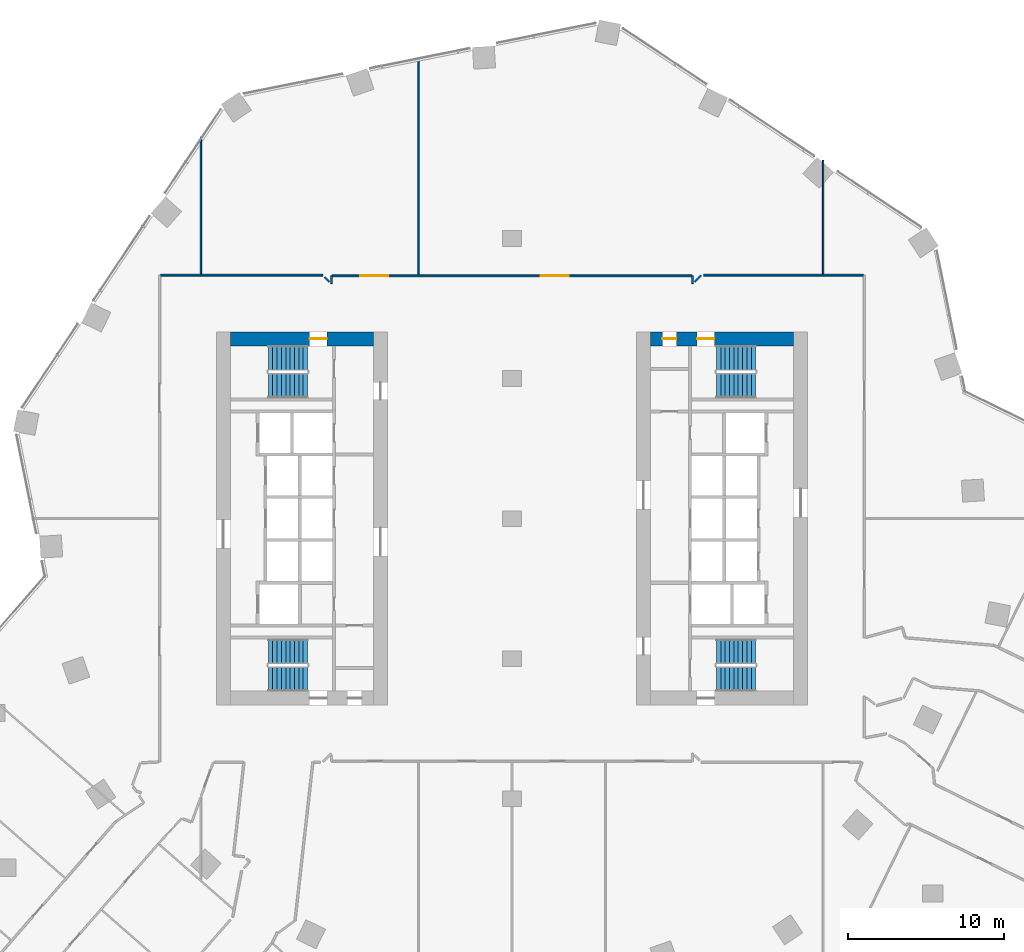
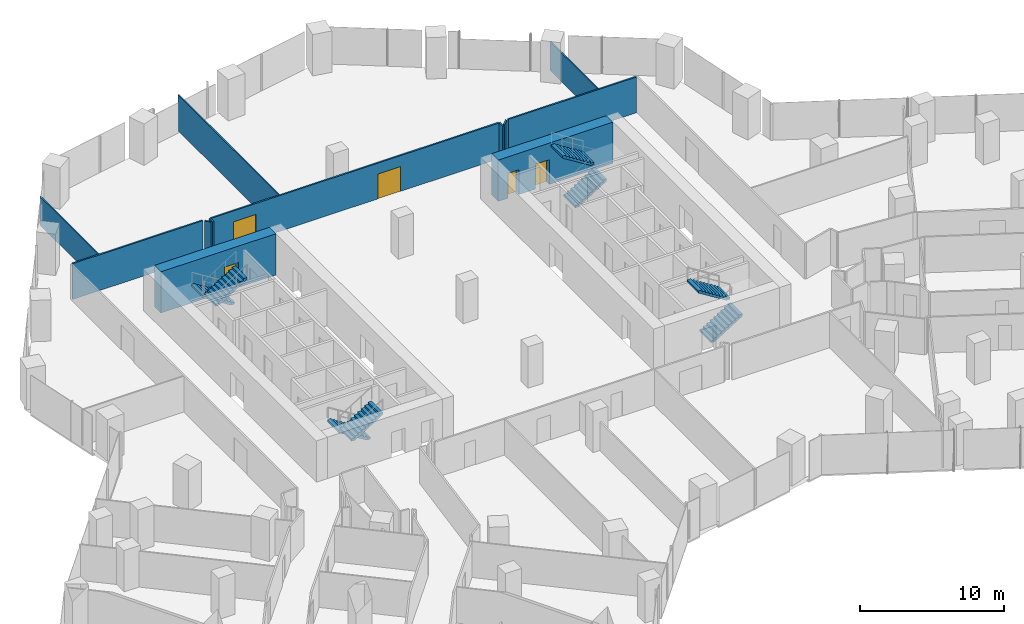
# One storey, part 32 of 38: 12 walls, 8 stair flights, 5 doors, 5 openings, 4 elements without a shape of their own.
"""IFC4 building model written with IfcOpenShell, lengths in metres."""

from ifc_helpers import new_model, si_unit, direction, frame, frame_2d, origin, place, context, subcontext, project, spatial, polyline, rectangle, outline, extrude, material, layer, layer_set, type_object, element, fill, aggregate, save


model = new_model("IFC4")

# Units and contexts
model_context = context("Model", 3, precision=1e-05, world=origin(), true_north=direction((0.0, 1.0)))
body_context = subcontext(model_context, "Body", "Model", "MODEL_VIEW")
ifc_project = project(units=[si_unit("LENGTHUNIT", "METRE"), si_unit("AREAUNIT", "SQUARE_METRE"), si_unit("VOLUMEUNIT", "CUBIC_METRE"), si_unit("PLANEANGLEUNIT", "RADIAN"), si_unit("MASSUNIT", "GRAM", prefix="KILO")], contexts=[model_context])

# Site, building, storey
site_placement = place(None, origin())
site = spatial("IfcSite", under=ifc_project, at=site_placement, CompositionType="ELEMENT")
building_placement = place(site_placement, origin())
building = spatial("IfcBuilding", under=site, at=building_placement, Name="Orlundy Tower", CompositionType="ELEMENT")
storey_placement = place(building_placement, frame((0.0, 0.0, 72.800048828125)))
storey = spatial("IfcBuildingStorey", under=building, at=storey_placement, Name="L17", CompositionType="ELEMENT", Elevation=72.800048828125)

# Wall, opening, door
ifc_material_1 = material(Name="Concrete C80/95", Category="concrete")
ifc_layer_1 = layer(ifc_material_1, 0.89990234375)
ifc_layer_set_1 = layer_set([ifc_layer_1], Name="CORE WALL 900 C80/95")
wall_type_1 = type_object("IfcWallType", Name="CORE WALL 900 C80/95", PredefinedType="SHEAR", material=ifc_layer_set_1)
wall_1_placement = place(storey_placement, frame((-18.10009765625, 11.550048828125, 0.0), z_axis=(0.0, 0.0, 1.0), x_axis=(1.0, 0.0, 0.0)))
wall_1 = element("IfcWall", 1, at=wall_1_placement, inside=storey, type_object=wall_type_1, Name="Core wall W-N L17", PredefinedType="SHEAR", context=body_context, shape_type="SweptSolid", body=[
    extrude(rectangle(XDim=9.2001953125, YDim=0.89990234375, at=frame_2d((4.60009765625, 0.0))), origin(), (0.0, 0.0, 1.0), 3.5),
])
opening_1_placement = place(wall_1_placement, frame((5.10009765625, 0.0, 0.0)))
opening_1 = element("IfcOpeningElement", 2, at=opening_1_placement, cuts=wall_1, Name="Opening 14012", PredefinedType="OPENING", context=body_context, shape_type="SweptSolid", body=[
    extrude(rectangle(XDim=1.10009765625, YDim=2.10009765625, at=frame_2d((0.550048828125, 1.050048828125))), frame((0.0, 0.4599609375, 0.0), z_axis=(0.0, -1.0, 0.0), x_axis=(1.0, 0.0, 0.0)), (0.0, 0.0, 1.0), 0.919921875),
])
ifc_material_2 = material(Name="Steel door set", Category="steel")
door_type_1 = type_object("IfcDoorType", Name="Stair Door 1100x2100", OperationType="SINGLE_SWING_LEFT", PredefinedType="DOOR", material=ifc_material_2)
door_1_placement = place(opening_1_placement, origin())
door_1 = element("IfcDoor", 3, at=door_1_placement, inside=storey, type_object=door_type_1, Name="Stair door 14012", OperationType="SINGLE_SWING_RIGHT", OverallHeight=2.10009765625, OverallWidth=1.10009765625, PredefinedType="DOOR", context=body_context, shape_type="SweptSolid", body=[
    extrude(rectangle(XDim=1.10009765625, YDim=2.10009765625, at=frame_2d((0.550048828125, 1.050048828125))), frame((0.0, 0.02490234375, 0.0), z_axis=(0.0, -1.0, 0.0), x_axis=(1.0, 0.0, 0.0)), (0.0, 0.0, 1.0), 0.050048828125),
])
fill(opening_1, door_1)

# Wall, openings, doors
wall_2_placement = place(storey_placement, frame((8.89990234375, 11.550048828125, 0.0), z_axis=(0.0, 0.0, 1.0), x_axis=(1.0, 0.0, 0.0)))
wall_2 = element("IfcWall", 4, at=wall_2_placement, inside=storey, type_object=wall_type_1, Name="Core wall E-N L17", PredefinedType="SHEAR", context=body_context, shape_type="SweptSolid", body=[
    extrude(rectangle(XDim=9.2001953125, YDim=0.89990234375, at=frame_2d((4.60009765625, 0.0))), origin(), (0.0, 0.0, 1.0), 3.5),
])
opening_2_placement = place(wall_2_placement, frame((3.0, 0.0, 0.0)))
opening_2 = element("IfcOpeningElement", 5, at=opening_2_placement, cuts=wall_2, Name="Opening 14062", PredefinedType="OPENING", context=body_context, shape_type="SweptSolid", body=[
    extrude(rectangle(XDim=1.10009765625, YDim=2.10009765625, at=frame_2d((0.550048828125, 1.050048828125))), frame((0.0, 0.4599609375, 0.0), z_axis=(0.0, -1.0, 0.0), x_axis=(1.0, 0.0, 0.0)), (0.0, 0.0, 1.0), 0.919921875),
])
opening_3_placement = place(wall_2_placement, frame((0.77001953125, 0.0, 0.0)))
opening_3 = element("IfcOpeningElement", 6, at=opening_3_placement, cuts=wall_2, Name="Opening 14064", PredefinedType="OPENING", context=body_context, shape_type="SweptSolid", body=[
    extrude(rectangle(XDim=0.89990234375, YDim=2.10009765625, at=frame_2d((0.449951171875, 1.050048828125))), frame((0.0, 0.4599609375, 0.0), z_axis=(0.0, -1.0, 0.0), x_axis=(1.0, 0.0, 0.0)), (0.0, 0.0, 1.0), 0.919921875),
])
ifc_material_3 = material(Name="Timber door set", Category="wood")
door_type_2 = type_object("IfcDoorType", Name="Room Door 900x2100", OperationType="SINGLE_SWING_LEFT", PredefinedType="DOOR", material=ifc_material_3)
door_2_placement = place(opening_3_placement, origin())
door_2 = element("IfcDoor", 7, at=door_2_placement, inside=storey, type_object=door_type_2, Name="Store door 14064", OperationType="SINGLE_SWING_LEFT", OverallHeight=2.10009765625, OverallWidth=0.89990234375, PredefinedType="DOOR", context=body_context, shape_type="SweptSolid", body=[
    extrude(rectangle(XDim=0.89990234375, YDim=2.10009765625, at=frame_2d((0.449951171875, 1.050048828125))), frame((0.0, 0.02490234375, 0.0), z_axis=(0.0, -1.0, 0.0), x_axis=(1.0, 0.0, 0.0)), (0.0, 0.0, 1.0), 0.050048828125),
])
fill(opening_3, door_2)
door_3_placement = place(opening_2_placement, origin())
door_3 = element("IfcDoor", 8, at=door_3_placement, inside=storey, type_object=door_type_1, Name="Stair door 14062", OperationType="SINGLE_SWING_LEFT", OverallHeight=2.10009765625, OverallWidth=1.10009765625, PredefinedType="DOOR", context=body_context, shape_type="SweptSolid", body=[
    extrude(rectangle(XDim=1.10009765625, YDim=2.10009765625, at=frame_2d((0.550048828125, 1.050048828125))), frame((0.0, 0.02490234375, 0.0), z_axis=(0.0, -1.0, 0.0), x_axis=(1.0, 0.0, 0.0)), (0.0, 0.0, 1.0), 0.050048828125),
])
fill(opening_2, door_3)

# Walls
ifc_material_4 = material(Name="Gypsum board partition")
ifc_layer_2 = layer(ifc_material_4, 0.10009765625)
ifc_layer_set_2 = layer_set([ifc_layer_2], Name="Floor partition 100")
wall_type_2 = type_object("IfcWallType", Name="Floor partition 100", PredefinedType="PARTITIONING", material=ifc_layer_set_2)
wall_3_placement = place(storey_placement, frame((-6.0, 15.6640625, 0.0), z_axis=(0.0, 0.0, 1.0), x_axis=(0.0, 1.0, 0.0)))
element("IfcWall", 9, at=wall_3_placement, inside=storey, type_object=wall_type_2, Name="wall-int-L17-100", PredefinedType="PARTITIONING", context=body_context, shape_type="SweptSolid", body=[
    extrude(rectangle(XDim=13.98486328125, YDim=0.10009765625, at=frame_2d((6.992431640625, 0.0))), origin(), (0.0, 0.0, 1.0), 3.030029296875),
])
ifc_material_5 = material(Name="Gypsum board partition")
ifc_layer_3 = layer(ifc_material_5, 0.10009765625)
ifc_layer_set_3 = layer_set([ifc_layer_3], Name="Floor partition 100 B")
wall_type_3 = type_object("IfcWallType", Name="Floor partition 100 B", PredefinedType="PARTITIONING", material=ifc_layer_set_3)
wall_4_placement = place(storey_placement, frame((20.0, 15.712890625, 0.0), z_axis=(0.0, 0.0, 1.0), x_axis=(0.0, 1.0, 0.0)))
element("IfcWall", 10, at=wall_4_placement, inside=storey, type_object=wall_type_3, Name="wall-int-L17-094", PredefinedType="PARTITIONING", context=body_context, shape_type="SweptSolid", body=[
    extrude(rectangle(XDim=7.31201171875, YDim=0.10009765625, at=frame_2d((3.656005859375, 0.0))), origin(), (0.0, 0.0, 1.0), 2.4189453125),
])
wall_5_placement = place(storey_placement, frame((-20.0, 15.712890625, 0.0), z_axis=(0.0, 0.0, 1.0), x_axis=(0.0, 1.0, 0.0)))
element("IfcWall", 11, at=wall_5_placement, inside=storey, type_object=wall_type_3, Name="wall-int-L17-102", PredefinedType="PARTITIONING", context=body_context, shape_type="SweptSolid", body=[
    extrude(rectangle(XDim=8.8291015625, YDim=0.10009765625, at=frame_2d((4.41455078125, 0.0))), origin(), (0.0, 0.0, 1.0), 2.4189453125),
])
ifc_material_6 = material(Name="Gypsum board partition, double layer")
ifc_layer_4 = layer(ifc_material_6, 0.125)
ifc_layer_set_4 = layer_set([ifc_layer_4], Name="Floor partition 125")
wall_type_4 = type_object("IfcWallType", Name="Floor partition 125", PredefinedType="PARTITIONING", material=ifc_layer_set_4)
wall_6_placement = place(storey_placement, frame((-12.0458984375, 15.52392578125, 0.0), z_axis=(0.0, 0.0, 1.0), x_axis=(0.707106781187, -0.707106781187, 0.0)))
element("IfcWall", 12, at=wall_6_placement, inside=storey, type_object=wall_type_4, Name="wall-int-L17-006", PredefinedType="PARTITIONING", context=body_context, shape_type="SweptSolid", body=[
    extrude(rectangle(XDim=0.449462890625, YDim=0.125, at=frame_2d((0.224609375, 0.0))), origin(), (0.0, 0.0, 1.0), 3.030029296875),
])

# Wall, openings, doors
wall_7_placement = place(storey_placement, frame((-11.537109375, 15.60107421875, 0.0), z_axis=(0.0, 0.0, 1.0), x_axis=(1.0, 0.0, 0.0)))
wall_7 = element("IfcWall", 13, at=wall_7_placement, inside=storey, type_object=wall_type_4, Name="wall-int-L17-052", PredefinedType="PARTITIONING", context=body_context, shape_type="SweptSolid", body=[
    extrude(rectangle(XDim=23.07421875, YDim=0.125, at=frame_2d((11.537109375, 0.0))), origin(), (0.0, 0.0, 1.0), 3.030029296875),
])
opening_4_placement = place(wall_7_placement, frame((13.387451171875, 0.0, 0.0)))
opening_4 = element("IfcOpeningElement", 14, at=opening_4_placement, cuts=wall_7, Name="Opening 14133", PredefinedType="OPENING", context=body_context, shape_type="SweptSolid", body=[
    extrude(rectangle(XDim=1.800048828125, YDim=2.10009765625, at=frame_2d((0.89990234375, 1.050048828125))), frame((0.0, 0.072509765625, 0.0), z_axis=(0.0, -1.0, 0.0), x_axis=(1.0, 0.0, 0.0)), (0.0, 0.0, 1.0), 0.14501953125),
])
opening_5_placement = place(wall_7_placement, frame((1.78759765625, 0.0, 0.0)))
opening_5 = element("IfcOpeningElement", 15, at=opening_5_placement, cuts=wall_7, Name="Opening 14134", PredefinedType="OPENING", context=body_context, shape_type="SweptSolid", body=[
    extrude(rectangle(XDim=1.800048828125, YDim=2.10009765625, at=frame_2d((0.89990234375, 1.050048828125))), frame((0.0, 0.072509765625, 0.0), z_axis=(0.0, -1.0, 0.0), x_axis=(1.0, 0.0, 0.0)), (0.0, 0.0, 1.0), 0.14501953125),
])
ifc_material_7 = material(Name="Timber door leaf", Category="wood")
door_type_3 = type_object("IfcDoorType", Name="Floor door double 1800 FD30S", OperationType="NOTDEFINED", PredefinedType="DOOR", material=ifc_material_7)
door_4_placement = place(opening_4_placement, origin())
door_4 = element("IfcDoor", 16, at=door_4_placement, inside=storey, type_object=door_type_3, Name="Door 14133", OperationType="DOUBLE_DOOR_SINGLE_SWING", OverallHeight=2.10009765625, OverallWidth=1.800048828125, PredefinedType="DOOR", context=body_context, shape_type="SweptSolid", body=[
    extrude(rectangle(XDim=1.800048828125, YDim=2.10009765625, at=frame_2d((0.89990234375, 1.050048828125))), frame((0.0, 0.02490234375, 0.0), z_axis=(0.0, -1.0, 0.0), x_axis=(1.0, 0.0, 0.0)), (0.0, 0.0, 1.0), 0.050048828125),
])
fill(opening_4, door_4)
door_5_placement = place(opening_5_placement, origin())
door_5 = element("IfcDoor", 17, at=door_5_placement, inside=storey, type_object=door_type_3, Name="Door 14134", OperationType="DOUBLE_DOOR_SINGLE_SWING", OverallHeight=2.10009765625, OverallWidth=1.800048828125, PredefinedType="DOOR", context=body_context, shape_type="SweptSolid", body=[
    extrude(rectangle(XDim=1.800048828125, YDim=2.10009765625, at=frame_2d((0.89990234375, 1.050048828125))), frame((0.0, 0.02490234375, 0.0), z_axis=(0.0, -1.0, 0.0), x_axis=(1.0, 0.0, 0.0)), (0.0, 0.0, 1.0), 0.050048828125),
])
fill(opening_5, door_5)

# Walls
wall_8_placement = place(storey_placement, frame((-22.5869140625, 15.65087890625, 0.0), z_axis=(0.0, 0.0, 1.0), x_axis=(1.0, 0.0, 0.0)))
element("IfcWall", 18, at=wall_8_placement, inside=storey, type_object=wall_type_4, Name="wall-int-L17-053", PredefinedType="PARTITIONING", context=body_context, shape_type="SweptSolid", body=[
    extrude(rectangle(XDim=10.427001953125, YDim=0.125, at=frame_2d((5.21337890625, 0.0))), origin(), (0.0, 0.0, 1.0), 3.030029296875),
])
wall_9_placement = place(storey_placement, frame((12.31103515625, 15.65087890625, 0.0), z_axis=(0.0, 0.0, 1.0), x_axis=(1.0, 0.0, 0.0)))
element("IfcWall", 19, at=wall_9_placement, inside=storey, type_object=wall_type_4, Name="wall-int-L17-054", PredefinedType="PARTITIONING", context=body_context, shape_type="SweptSolid", body=[
    extrude(rectangle(XDim=10.27587890625, YDim=0.125, at=frame_2d((5.137939453125, 0.0))), origin(), (0.0, 0.0, 1.0), 3.030029296875),
])
wall_10_placement = place(storey_placement, frame((11.73095703125, 15.20703125, 0.0), z_axis=(0.0, 0.0, 1.0), x_axis=(0.707311295066, 0.70690220814, 0.0)))
element("IfcWall", 20, at=wall_10_placement, inside=storey, type_object=wall_type_4, Name="wall-int-L17-060", PredefinedType="PARTITIONING", context=body_context, shape_type="SweptSolid", body=[
    extrude(rectangle(XDim=0.5966796875, YDim=0.125, at=frame_2d((0.29833984375, 0.0))), origin(), (0.0, 0.0, 1.0), 3.030029296875),
])
for number, where, z_axis, x_axis, name in (
    (21, (-11.60107421875, 15.092041015625, 0.0), (0.0, 0.0, 1.0), (0.00192214926, 0.999998152669, 0.0), "wall-int-L17-090"),
    (22, (11.60107421875, 15.092041015625, 0.0), (0.0, 0.0, 1.0), (0.0, 1.0, 0.0), "wall-int-L17-096"),
):
    element("IfcWall", number, at=place(storey_placement, frame(where, z_axis=z_axis, x_axis=x_axis)), inside=storey, type_object=wall_type_4, Name=name, PredefinedType="PARTITIONING", context=body_context, shape_type="SweptSolid", body=[
        extrude(rectangle(XDim=0.508056640625, YDim=0.125, at=frame_2d((0.25390625, 0.0))), origin(), (0.0, 0.0, 1.0), 3.030029296875),
    ])

# Stair, stair flights
ifc_material_8 = material(Name="Concrete C50/60", Category="concrete")
stair_type = type_object("IfcStairType", Name="Exit Stair 20 risers", PredefinedType="HALF_TURN_STAIR", material=ifc_material_8)
stair_1_placement = place(storey_placement, origin())
stair_1 = element("IfcStair", 23, at=stair_1_placement, inside=storey, type_object=stair_type, Name="L17 Exit Stair ST-W1", PredefinedType="HALF_TURN_STAIR")
ifc_material_9 = material(Name="Concrete C50/60", Category="concrete")
stair_flight_type = type_object("IfcStairFlightType", Name="Stair Flight 10 risers", PredefinedType="STRAIGHT", material=ifc_material_9)
stair_flight_1_placement = place(storey_placement, frame((-13.139892578125, 10.300048828125, 0.0), z_axis=(0.0, 0.0, 1.0), x_axis=(-1.0, 0.0, 0.0)))
stair_flight_1 = element("IfcStairFlight", 24, at=stair_flight_1_placement, type_object=stair_flight_type, Name="ST-W1 flight 1", NumberOfRisers=10, NumberOfTreads=9, PredefinedType="STRAIGHT", RiserHeight=0.175, TreadLength=0.28, context=body_context, shape_type="SweptSolid", body=[
    extrude(outline(polyline([(0.0, 0.0), (0.0, 0.175048828125), (0.280029296875, 0.175048828125), (0.280029296875, 0.35009765625), (0.56005859375, 0.35009765625), (0.56005859375, 0.52490234375), (0.840087890625, 0.52490234375), (0.840087890625, 0.699951171875), (1.1201171875, 0.699951171875), (1.1201171875, 0.875), (1.39990234375, 0.875), (1.39990234375, 1.050048828125), (1.679931640625, 1.050048828125), (1.679931640625, 1.22509765625), (1.9599609375, 1.22509765625), (1.9599609375, 1.39990234375), (2.239990234375, 1.39990234375), (2.239990234375, 1.574951171875), (2.52001953125, 1.574951171875), (2.52001953125, 1.75), (2.52001953125, 1.398193359375), (0.28271484375, 0.0), (0.0, 0.0)])), frame((0.0, 0.800048828125, 0.0), z_axis=(0.0, -1.0, 0.0), x_axis=(1.0, 0.0, 0.0)), (0.0, 0.0, 1.0), 1.60009765625),
])
stair_flight_2_placement = place(storey_placement, frame((-15.659912109375, 8.550048828125, 1.75), z_axis=(0.0, 0.0, 1.0), x_axis=(1.0, 0.0, 0.0)))
stair_flight_2 = element("IfcStairFlight", 25, at=stair_flight_2_placement, type_object=stair_flight_type, Name="ST-W1 flight 2", NumberOfRisers=10, NumberOfTreads=9, PredefinedType="STRAIGHT", RiserHeight=0.175, TreadLength=0.28, context=body_context, shape_type="SweptSolid", body=[
    extrude(outline(polyline([(0.0, 0.0), (0.0, 0.175048828125), (0.280029296875, 0.175048828125), (0.280029296875, 0.35009765625), (0.56005859375, 0.35009765625), (0.56005859375, 0.52490234375), (0.840087890625, 0.52490234375), (0.840087890625, 0.699951171875), (1.1201171875, 0.699951171875), (1.1201171875, 0.875), (1.39990234375, 0.875), (1.39990234375, 1.050048828125), (1.679931640625, 1.050048828125), (1.679931640625, 1.22509765625), (1.9599609375, 1.22509765625), (1.9599609375, 1.39990234375), (2.239990234375, 1.39990234375), (2.239990234375, 1.574951171875), (2.52001953125, 1.574951171875), (2.52001953125, 1.75), (2.52001953125, 1.398193359375), (0.28271484375, 0.0), (0.0, 0.0)])), frame((0.0, 0.800048828125, 0.0), z_axis=(0.0, -1.0, 0.0), x_axis=(1.0, 0.0, 0.0)), (0.0, 0.0, 1.0), 1.60009765625),
])
aggregate(stair_1, [stair_flight_1, stair_flight_2])

stair_2_placement = place(storey_placement, origin())
stair_2 = element("IfcStair", 26, at=stair_2_placement, inside=storey, type_object=stair_type, Name="L17 Exit Stair ST-W2", PredefinedType="HALF_TURN_STAIR")
stair_flight_3_placement = place(storey_placement, frame((-13.139892578125, -8.550048828125, 0.0), z_axis=(0.0, 0.0, 1.0), x_axis=(-1.0, 0.0, 0.0)))
stair_flight_3 = element("IfcStairFlight", 27, at=stair_flight_3_placement, type_object=stair_flight_type, Name="ST-W2 flight 1", NumberOfRisers=10, NumberOfTreads=9, PredefinedType="STRAIGHT", RiserHeight=0.175, TreadLength=0.28, context=body_context, shape_type="SweptSolid", body=[
    extrude(outline(polyline([(0.0, 0.0), (0.0, 0.175048828125), (0.280029296875, 0.175048828125), (0.280029296875, 0.35009765625), (0.56005859375, 0.35009765625), (0.56005859375, 0.52490234375), (0.840087890625, 0.52490234375), (0.840087890625, 0.699951171875), (1.1201171875, 0.699951171875), (1.1201171875, 0.875), (1.39990234375, 0.875), (1.39990234375, 1.050048828125), (1.679931640625, 1.050048828125), (1.679931640625, 1.22509765625), (1.9599609375, 1.22509765625), (1.9599609375, 1.39990234375), (2.239990234375, 1.39990234375), (2.239990234375, 1.574951171875), (2.52001953125, 1.574951171875), (2.52001953125, 1.75), (2.52001953125, 1.398193359375), (0.28271484375, 0.0), (0.0, 0.0)])), frame((0.0, 0.800048828125, 0.0), z_axis=(0.0, -1.0, 0.0), x_axis=(1.0, 0.0, 0.0)), (0.0, 0.0, 1.0), 1.60009765625),
])
stair_flight_4_placement = place(storey_placement, frame((-15.659912109375, -10.300048828125, 1.75), z_axis=(0.0, 0.0, 1.0), x_axis=(1.0, 0.0, 0.0)))
stair_flight_4 = element("IfcStairFlight", 28, at=stair_flight_4_placement, type_object=stair_flight_type, Name="ST-W2 flight 2", NumberOfRisers=10, NumberOfTreads=9, PredefinedType="STRAIGHT", RiserHeight=0.175, TreadLength=0.28, context=body_context, shape_type="SweptSolid", body=[
    extrude(outline(polyline([(0.0, 0.0), (0.0, 0.175048828125), (0.280029296875, 0.175048828125), (0.280029296875, 0.35009765625), (0.56005859375, 0.35009765625), (0.56005859375, 0.52490234375), (0.840087890625, 0.52490234375), (0.840087890625, 0.699951171875), (1.1201171875, 0.699951171875), (1.1201171875, 0.875), (1.39990234375, 0.875), (1.39990234375, 1.050048828125), (1.679931640625, 1.050048828125), (1.679931640625, 1.22509765625), (1.9599609375, 1.22509765625), (1.9599609375, 1.39990234375), (2.239990234375, 1.39990234375), (2.239990234375, 1.574951171875), (2.52001953125, 1.574951171875), (2.52001953125, 1.75), (2.52001953125, 1.398193359375), (0.28271484375, 0.0), (0.0, 0.0)])), frame((0.0, 0.800048828125, 0.0), z_axis=(0.0, -1.0, 0.0), x_axis=(1.0, 0.0, 0.0)), (0.0, 0.0, 1.0), 1.60009765625),
])
aggregate(stair_2, [stair_flight_3, stair_flight_4])

stair_3_placement = place(storey_placement, origin())
stair_3 = element("IfcStair", 29, at=stair_3_placement, inside=storey, type_object=stair_type, Name="L17 Exit Stair ST-E1", PredefinedType="HALF_TURN_STAIR")
stair_flight_5_placement = place(storey_placement, frame((13.139892578125, -10.300048828125, 0.0), z_axis=(0.0, 0.0, 1.0), x_axis=(1.0, 0.0, 0.0)))
stair_flight_5 = element("IfcStairFlight", 30, at=stair_flight_5_placement, type_object=stair_flight_type, Name="ST-E1 flight 1", NumberOfRisers=10, NumberOfTreads=9, PredefinedType="STRAIGHT", RiserHeight=0.175, TreadLength=0.28, context=body_context, shape_type="SweptSolid", body=[
    extrude(outline(polyline([(0.0, 0.0), (0.0, 0.175048828125), (0.280029296875, 0.175048828125), (0.280029296875, 0.35009765625), (0.56005859375, 0.35009765625), (0.56005859375, 0.52490234375), (0.840087890625, 0.52490234375), (0.840087890625, 0.699951171875), (1.1201171875, 0.699951171875), (1.1201171875, 0.875), (1.39990234375, 0.875), (1.39990234375, 1.050048828125), (1.679931640625, 1.050048828125), (1.679931640625, 1.22509765625), (1.9599609375, 1.22509765625), (1.9599609375, 1.39990234375), (2.239990234375, 1.39990234375), (2.239990234375, 1.574951171875), (2.52001953125, 1.574951171875), (2.52001953125, 1.75), (2.52001953125, 1.398193359375), (0.28271484375, 0.0), (0.0, 0.0)])), frame((0.0, 0.800048828125, 0.0), z_axis=(0.0, -1.0, 0.0), x_axis=(1.0, 0.0, 0.0)), (0.0, 0.0, 1.0), 1.60009765625),
])
stair_flight_6_placement = place(storey_placement, frame((15.659912109375, -8.550048828125, 1.75), z_axis=(0.0, 0.0, 1.0), x_axis=(-1.0, 0.0, 0.0)))
stair_flight_6 = element("IfcStairFlight", 31, at=stair_flight_6_placement, type_object=stair_flight_type, Name="ST-E1 flight 2", NumberOfRisers=10, NumberOfTreads=9, PredefinedType="STRAIGHT", RiserHeight=0.175, TreadLength=0.28, context=body_context, shape_type="SweptSolid", body=[
    extrude(outline(polyline([(0.0, 0.0), (0.0, 0.175048828125), (0.280029296875, 0.175048828125), (0.280029296875, 0.35009765625), (0.56005859375, 0.35009765625), (0.56005859375, 0.52490234375), (0.840087890625, 0.52490234375), (0.840087890625, 0.699951171875), (1.1201171875, 0.699951171875), (1.1201171875, 0.875), (1.39990234375, 0.875), (1.39990234375, 1.050048828125), (1.679931640625, 1.050048828125), (1.679931640625, 1.22509765625), (1.9599609375, 1.22509765625), (1.9599609375, 1.39990234375), (2.239990234375, 1.39990234375), (2.239990234375, 1.574951171875), (2.52001953125, 1.574951171875), (2.52001953125, 1.75), (2.52001953125, 1.398193359375), (0.28271484375, 0.0), (0.0, 0.0)])), frame((0.0, 0.800048828125, 0.0), z_axis=(0.0, -1.0, 0.0), x_axis=(1.0, 0.0, 0.0)), (0.0, 0.0, 1.0), 1.60009765625),
])
aggregate(stair_3, [stair_flight_5, stair_flight_6])

stair_4_placement = place(storey_placement, origin())
stair_4 = element("IfcStair", 32, at=stair_4_placement, inside=storey, type_object=stair_type, Name="L17 Exit Stair ST-E2", PredefinedType="HALF_TURN_STAIR")
stair_flight_7_placement = place(storey_placement, frame((13.139892578125, 8.550048828125, 0.0), z_axis=(0.0, 0.0, 1.0), x_axis=(1.0, 0.0, 0.0)))
stair_flight_7 = element("IfcStairFlight", 33, at=stair_flight_7_placement, type_object=stair_flight_type, Name="ST-E2 flight 1", NumberOfRisers=10, NumberOfTreads=9, PredefinedType="STRAIGHT", RiserHeight=0.175, TreadLength=0.28, context=body_context, shape_type="SweptSolid", body=[
    extrude(outline(polyline([(0.0, 0.0), (0.0, 0.175048828125), (0.280029296875, 0.175048828125), (0.280029296875, 0.35009765625), (0.56005859375, 0.35009765625), (0.56005859375, 0.52490234375), (0.840087890625, 0.52490234375), (0.840087890625, 0.699951171875), (1.1201171875, 0.699951171875), (1.1201171875, 0.875), (1.39990234375, 0.875), (1.39990234375, 1.050048828125), (1.679931640625, 1.050048828125), (1.679931640625, 1.22509765625), (1.9599609375, 1.22509765625), (1.9599609375, 1.39990234375), (2.239990234375, 1.39990234375), (2.239990234375, 1.574951171875), (2.52001953125, 1.574951171875), (2.52001953125, 1.75), (2.52001953125, 1.398193359375), (0.28271484375, 0.0), (0.0, 0.0)])), frame((0.0, 0.800048828125, 0.0), z_axis=(0.0, -1.0, 0.0), x_axis=(1.0, 0.0, 0.0)), (0.0, 0.0, 1.0), 1.60009765625),
])
stair_flight_8_placement = place(storey_placement, frame((15.659912109375, 10.300048828125, 1.75), z_axis=(0.0, 0.0, 1.0), x_axis=(-1.0, 0.0, 0.0)))
stair_flight_8 = element("IfcStairFlight", 34, at=stair_flight_8_placement, type_object=stair_flight_type, Name="ST-E2 flight 2", NumberOfRisers=10, NumberOfTreads=9, PredefinedType="STRAIGHT", RiserHeight=0.175, TreadLength=0.28, context=body_context, shape_type="SweptSolid", body=[
    extrude(outline(polyline([(0.0, 0.0), (0.0, 0.175048828125), (0.280029296875, 0.175048828125), (0.280029296875, 0.35009765625), (0.56005859375, 0.35009765625), (0.56005859375, 0.52490234375), (0.840087890625, 0.52490234375), (0.840087890625, 0.699951171875), (1.1201171875, 0.699951171875), (1.1201171875, 0.875), (1.39990234375, 0.875), (1.39990234375, 1.050048828125), (1.679931640625, 1.050048828125), (1.679931640625, 1.22509765625), (1.9599609375, 1.22509765625), (1.9599609375, 1.39990234375), (2.239990234375, 1.39990234375), (2.239990234375, 1.574951171875), (2.52001953125, 1.574951171875), (2.52001953125, 1.75), (2.52001953125, 1.398193359375), (0.28271484375, 0.0), (0.0, 0.0)])), frame((0.0, 0.800048828125, 0.0), z_axis=(0.0, -1.0, 0.0), x_axis=(1.0, 0.0, 0.0)), (0.0, 0.0, 1.0), 1.60009765625),
])
aggregate(stair_4, [stair_flight_7, stair_flight_8])

save(model, "model.ifc")
